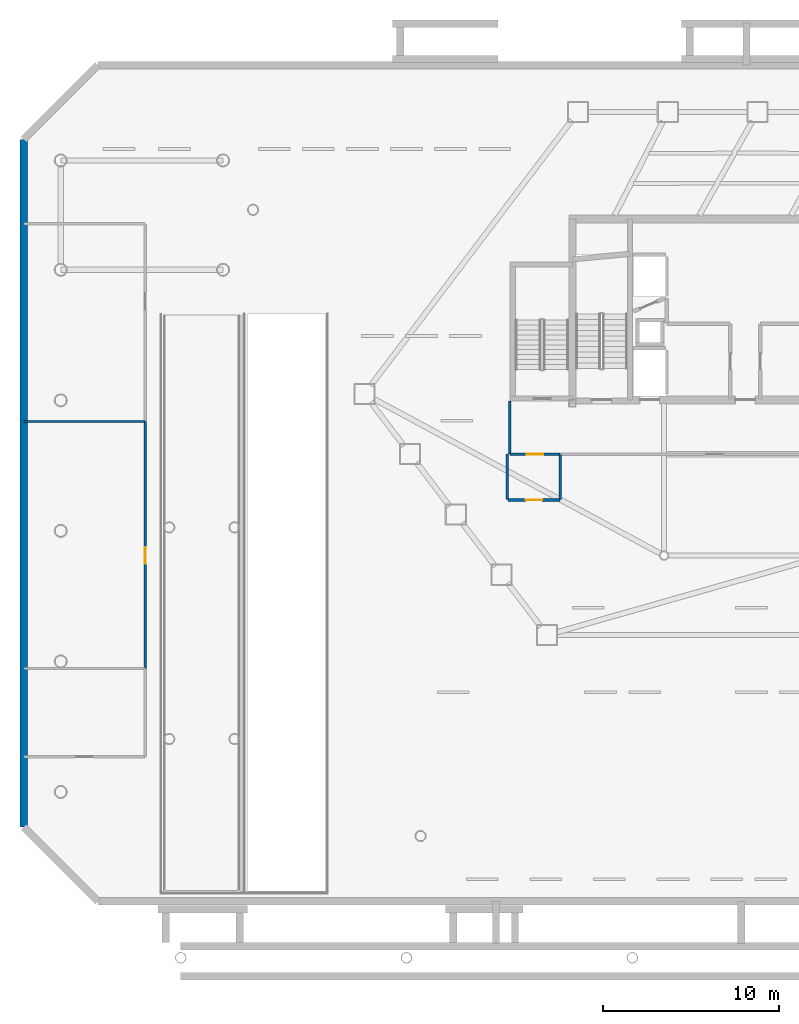
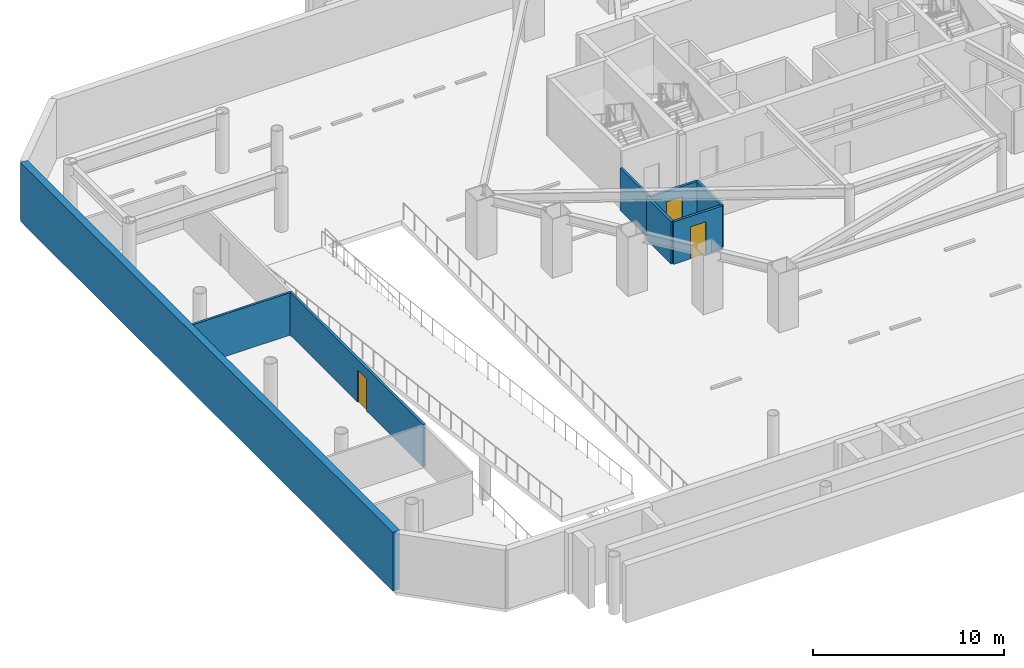
# One storey, part 7 of 15: 8 walls, 3 doors, 3 openings.
"""IFC4 building model written with IfcOpenShell, lengths in metres."""

from ifc_helpers import new_model, si_unit, direction, frame, frame_2d, origin, place, context, subcontext, project, spatial, rectangle, extrude, material, layer, layer_set, type_object, element, fill, save


model = new_model("IFC4")

# Units and contexts
model_context = context("Model", 3, precision=1e-05, world=origin(), true_north=direction((0.0, 1.0)))
body_context = subcontext(model_context, "Body", "Model", "MODEL_VIEW")
ifc_project = project(units=[si_unit("LENGTHUNIT", "METRE"), si_unit("AREAUNIT", "SQUARE_METRE"), si_unit("VOLUMEUNIT", "CUBIC_METRE"), si_unit("PLANEANGLEUNIT", "RADIAN"), si_unit("MASSUNIT", "GRAM", prefix="KILO")], contexts=[model_context])

# Site, building, storey
site_placement = place(None, origin())
site = spatial("IfcSite", under=ifc_project, at=site_placement, CompositionType="ELEMENT")
building_placement = place(site_placement, origin())
building = spatial("IfcBuilding", under=site, at=building_placement, Name="Zarrinselat Tower", CompositionType="ELEMENT")
storey_placement = place(building_placement, frame((0.0, 0.0, -4.080078125)))
storey = spatial("IfcBuildingStorey", under=building, at=storey_placement, Name="B01", CompositionType="ELEMENT", Elevation=-4.080078125)

# Wall, opening, door
ifc_material_1 = material(Name="Fire-Rated Gypsum Board Partition", Category="gypsum")
ifc_layer_1 = layer(ifc_material_1, 0.14990234375)
ifc_layer_set_1 = layer_set([ifc_layer_1], Name="Fire-Rated Gypsum Board Partition")
wall_type_1 = type_object("IfcWallType", Name="WAL-PART-EI60", PredefinedType="PARTITIONING", material=ifc_layer_set_1)
wall_1_placement = place(storey_placement, frame((25.070068359375, 30.14990234375, 0.0), z_axis=(0.0, 0.0, 1.0), x_axis=(1.0, 0.0, 0.0)))
wall_1 = element("IfcWall", 1, at=wall_1_placement, inside=storey, type_object=wall_type_1, Name="B01 Partition Wall 8", PredefinedType="PARTITIONING", context=body_context, shape_type="SweptSolid", body=[
    extrude(rectangle(XDim=2.844970703125, YDim=0.14990234375, at=frame_2d((1.42236328125, 0.0))), origin(), (0.0, 0.0, 1.0), 2.717041015625),
])
opening_1_placement = place(wall_1_placement, frame((0.952392578125, 0.0, 0.0)))
opening_1 = element("IfcOpeningElement", 2, at=opening_1_placement, cuts=wall_1, Name="Opening ID-04", PredefinedType="OPENING", context=body_context, shape_type="SweptSolid", body=[
    extrude(rectangle(XDim=0.93994140625, YDim=2.050048828125, at=frame_2d((0.469970703125, 1.02490234375))), frame((0.0, 0.0849609375, 0.0), z_axis=(0.0, -1.0, 0.0), x_axis=(1.0, 0.0, 0.0)), (0.0, 0.0, 1.0), 0.169921875),
])
ifc_material_2 = material(Name="Fire-Rated Gypsum Board Partition")
door_type = type_object("IfcDoorType", Name="DR-INT-FD30-ENT", OperationType="NOTDEFINED", PredefinedType="DOOR", material=ifc_material_2)
door_1_placement = place(opening_1_placement, origin())
door_1 = element("IfcDoor", 3, at=door_1_placement, inside=storey, type_object=door_type, Name="B01 Interior Door P8", OperationType="SINGLE_SWING_RIGHT", OverallHeight=2.050048828125, OverallWidth=0.93994140625, PredefinedType="DOOR", context=body_context, shape_type="SweptSolid", body=[
    extrude(rectangle(XDim=0.93994140625, YDim=2.050048828125, at=frame_2d((0.469970703125, 1.02490234375))), frame((0.0, 0.02490234375, 0.0), z_axis=(0.0, -1.0, 0.0), x_axis=(1.0, 0.0, 0.0)), (0.0, 0.0, 1.0), 0.050048828125),
])
fill(opening_1, door_1)

# Wall
wall_2_placement = place(storey_placement, frame((25.050048828125, 30.169921875, 0.0), z_axis=(0.0, 0.0, 1.0), x_axis=(0.0, 1.0, 0.0)))
element("IfcWall", 4, at=wall_2_placement, inside=storey, type_object=wall_type_1, Name="B01 Partition Wall 11", PredefinedType="PARTITIONING", context=body_context, shape_type="SweptSolid", body=[
    extrude(rectangle(XDim=2.97998046875, YDim=0.14990234375, at=frame_2d((1.489990234375, 0.0))), origin(), (0.0, 0.0, 1.0), 2.717041015625),
])

# Wall, opening, door
wall_3_placement = place(storey_placement, frame((24.93994140625, 27.550048828125, 0.0), z_axis=(0.0, 0.0, 1.0), x_axis=(1.0, 0.0, 0.0)))
wall_3 = element("IfcWall", 5, at=wall_3_placement, inside=storey, type_object=wall_type_1, Name="B01 Partition Wall 15", PredefinedType="PARTITIONING", context=body_context, shape_type="SweptSolid", body=[
    extrude(rectangle(XDim=2.9599609375, YDim=0.14990234375, at=frame_2d((1.47998046875, 0.0))), origin(), (0.0, 0.0, 1.0), 2.717041015625),
])
opening_2_placement = place(wall_3_placement, frame((1.010009765625, 0.0, 0.0)))
opening_2 = element("IfcOpeningElement", 6, at=opening_2_placement, cuts=wall_3, Name="Opening ID-04", PredefinedType="OPENING", context=body_context, shape_type="SweptSolid", body=[
    extrude(rectangle(XDim=0.93994140625, YDim=2.050048828125, at=frame_2d((0.469970703125, 1.02490234375))), frame((0.0, 0.0849609375, 0.0), z_axis=(0.0, -1.0, 0.0), x_axis=(1.0, 0.0, 0.0)), (0.0, 0.0, 1.0), 0.169921875),
])
door_2_placement = place(opening_2_placement, origin())
door_2 = element("IfcDoor", 7, at=door_2_placement, inside=storey, type_object=door_type, Name="B01 Interior Door P15", OperationType="SINGLE_SWING_LEFT", OverallHeight=2.050048828125, OverallWidth=0.93994140625, PredefinedType="DOOR", context=body_context, shape_type="SweptSolid", body=[
    extrude(rectangle(XDim=0.93994140625, YDim=2.050048828125, at=frame_2d((0.469970703125, 1.02490234375))), frame((0.0, 0.02490234375, 0.0), z_axis=(0.0, -1.0, 0.0), x_axis=(1.0, 0.0, 0.0)), (0.0, 0.0, 1.0), 0.050048828125),
])
fill(opening_2, door_2)

# Walls
wall_4_placement = place(storey_placement, frame((24.919921875, 27.570068359375, 0.0), z_axis=(0.0, 0.0, 1.0), x_axis=(0.0, 1.0, 0.0)))
element("IfcWall", 8, at=wall_4_placement, inside=storey, type_object=wall_type_1, Name="B01 Partition Wall 16", PredefinedType="PARTITIONING", context=body_context, shape_type="SweptSolid", body=[
    extrude(rectangle(XDim=2.579833984375, YDim=0.14990234375, at=frame_2d((1.2900390625, 0.0))), origin(), (0.0, 0.0, 1.0), 2.717041015625),
])
wall_5_placement = place(storey_placement, frame((27.919921875, 27.570068359375, 0.0), z_axis=(0.0, 0.0, 1.0), x_axis=(0.0, 1.0, 0.0)))
element("IfcWall", 9, at=wall_5_placement, inside=storey, type_object=wall_type_1, Name="B01 Partition Wall 17", PredefinedType="PARTITIONING", context=body_context, shape_type="SweptSolid", body=[
    extrude(rectangle(XDim=2.559814453125, YDim=0.14990234375, at=frame_2d((1.27978515625, 0.0))), origin(), (0.0, 0.0, 1.0), 2.717041015625),
])

# Wall, opening, door
wall_6_placement = place(storey_placement, frame((4.39990234375, 18.0048828125, 0.0), z_axis=(0.0, 0.0, 1.0), x_axis=(0.0, 1.0, 0.0)))
wall_6 = element("IfcWall", 10, at=wall_6_placement, inside=storey, type_object=wall_type_1, Name="B01 Partition Wall 24", PredefinedType="PARTITIONING", context=body_context, shape_type="SweptSolid", body=[
    extrude(rectangle(XDim=13.990234375, YDim=0.14990234375, at=frame_2d((6.9951171875, 0.0))), origin(), (0.0, 0.0, 1.0), 2.717041015625),
])
opening_3_placement = place(wall_6_placement, frame((5.925048828125, 0.0, 0.0)))
opening_3 = element("IfcOpeningElement", 11, at=opening_3_placement, cuts=wall_6, Name="Opening ID-04", PredefinedType="OPENING", context=body_context, shape_type="SweptSolid", body=[
    extrude(rectangle(XDim=0.93994140625, YDim=2.050048828125, at=frame_2d((0.469970703125, 1.02490234375))), frame((0.0, 0.0849609375, 0.0), z_axis=(0.0, -1.0, 0.0), x_axis=(1.0, 0.0, 0.0)), (0.0, 0.0, 1.0), 0.169921875),
])
door_3_placement = place(opening_3_placement, origin())
door_3 = element("IfcDoor", 12, at=door_3_placement, inside=storey, type_object=door_type, Name="B01 Interior Door P24", OperationType="SINGLE_SWING_LEFT", OverallHeight=2.050048828125, OverallWidth=0.93994140625, PredefinedType="DOOR", context=body_context, shape_type="SweptSolid", body=[
    extrude(rectangle(XDim=0.93994140625, YDim=2.050048828125, at=frame_2d((0.469970703125, 1.02490234375))), frame((0.0, 0.02490234375, 0.0), z_axis=(0.0, -1.0, 0.0), x_axis=(1.0, 0.0, 0.0)), (0.0, 0.0, 1.0), 0.050048828125),
])
fill(opening_3, door_3)

# Walls
ifc_material_3 = material(Name="Fire-Rated Gypsum Board Partition", Category="gypsum")
ifc_layer_2 = layer(ifc_material_3, 0.135009765625)
ifc_layer_set_2 = layer_set([ifc_layer_2], Name="Fire-Rated Gypsum Board Partition")
wall_type_2 = type_object("IfcWallType", Name="WAL-PART-WET", PredefinedType="PARTITIONING", material=ifc_layer_set_2)
wall_7_placement = place(storey_placement, frame((-2.485107421875, 32.0, 0.0), z_axis=(0.0, 0.0, 1.0), x_axis=(1.0, 0.0, 0.0)))
element("IfcWall", 13, at=wall_7_placement, inside=storey, type_object=wall_type_2, Name="B01 Partition Wall 29", PredefinedType="PARTITIONING", context=body_context, shape_type="SweptSolid", body=[
    extrude(rectangle(XDim=6.864990234375, YDim=0.135009765625, at=frame_2d((3.4326171875, 0.0))), origin(), (0.0, 0.0, 1.0), 2.717041015625),
])
ifc_material_4 = material(Name="Concrete C50/60", Category="concrete")
ifc_layer_3 = layer(ifc_material_4, 0.419921875)
ifc_layer_set_3 = layer_set([ifc_layer_3], Name="Concrete C50/60")
wall_type_3 = type_object("IfcWallType", Name="WAL-RET-420", PredefinedType="SOLIDWALL", material=ifc_layer_set_3)
wall_8_placement = place(storey_placement, frame((-2.5, 9.0, 0.0), z_axis=(0.0, 0.0, 1.0), x_axis=(0.0, 1.0, 0.0)))
element("IfcWall", 14, at=wall_8_placement, inside=storey, type_object=wall_type_3, Name="B01 Basement Perimeter Retaining Wall 7", PredefinedType="SOLIDWALL", context=body_context, shape_type="SweptSolid", body=[
    extrude(rectangle(XDim=39.0, YDim=0.419921875, at=frame_2d((19.5, 0.0))), origin(), (0.0, 0.0, 1.0), 3.760009765625),
])

save(model, "model.ifc")
